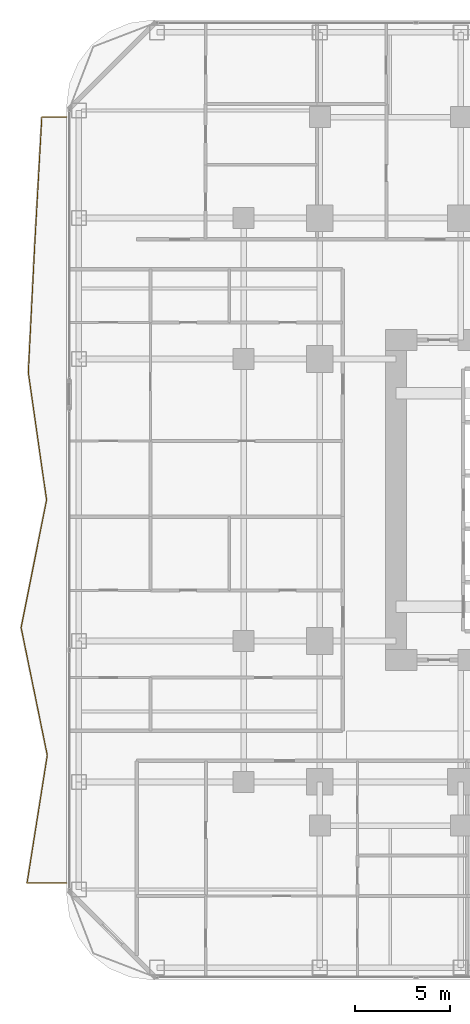
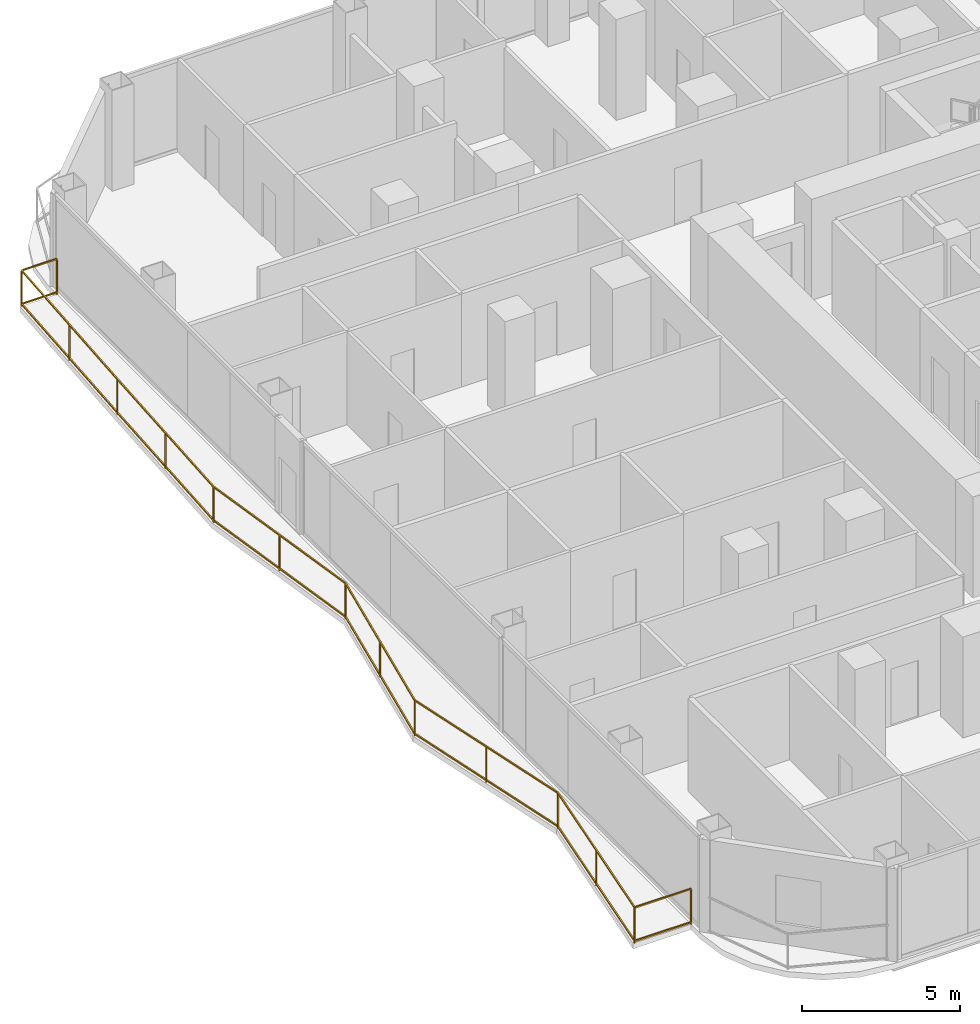
# One storey, part 26 of 29: 1 railing.
"""IFC4 building model written with IfcOpenShell, lengths in metres."""

from ifc_helpers import new_model, si_unit, direction, frame, origin, origin_2d, place, context, subcontext, project, spatial, rectangle, extrude, material, type_object, element, save


model = new_model("IFC4")

# Units and contexts
model_context = context("Model", 3, precision=1e-05, world=origin(), true_north=direction((0.0, 1.0)))
body_context = subcontext(model_context, "Body", "Model", "MODEL_VIEW")
ifc_project = project(units=[si_unit("LENGTHUNIT", "METRE"), si_unit("AREAUNIT", "SQUARE_METRE"), si_unit("VOLUMEUNIT", "CUBIC_METRE"), si_unit("PLANEANGLEUNIT", "RADIAN"), si_unit("MASSUNIT", "GRAM", prefix="KILO")], contexts=[model_context])

# Site, building, storey
site_placement = place(None, origin())
site = spatial("IfcSite", under=ifc_project, at=site_placement, CompositionType="ELEMENT")
building_placement = place(site_placement, origin())
building = spatial("IfcBuilding", under=site, at=building_placement, Name="Khorvyn Point Tower", CompositionType="ELEMENT")
storey_placement = place(building_placement, frame((0.0, 0.0, 73.5)))
storey = spatial("IfcBuildingStorey", under=building, at=storey_placement, Name="L19", CompositionType="ELEMENT", Elevation=73.5)

# Railing
ifc_material = material(Name="Anodised aluminium 6063-T6 and laminated safety glass", Category="aluminium")
railing_type = type_object("IfcRailingType", Name="Laminated Glass and Aluminium Balcony Guardrail 1400", PredefinedType="BALUSTRADE", material=ifc_material)
railing_placement = place(storey_placement, frame((-28.10009765625, 20.10009765625, 0.0)))
element("IfcRailing", 1, at=railing_placement, inside=storey, type_object=railing_type, Name="L19 West Balcony Guardrail", PredefinedType="BALUSTRADE", context=body_context, shape_type="SweptSolid", body=[
    extrude(rectangle(XDim=0.048095703125, YDim=0.048095703125, at=origin_2d()), frame((0.0, 0.0, 1.3759765625), z_axis=(-1.0, 0.0, 0.0), x_axis=(0.0, -1.0, 0.0)), (0.0, 0.0, 1.0), 1.294921875),
    extrude(rectangle(XDim=0.048095703125, YDim=0.048095703125, at=origin_2d()), frame((0.0, 0.0, 0.080078125), z_axis=(-1.0, 0.0, 0.0), x_axis=(0.0, -1.0, 0.0)), (0.0, 0.0, 1.0), 1.294921875),
    extrude(rectangle(XDim=0.048095703125, YDim=0.048095703125, at=origin_2d()), frame((-1.294921875, 0.0, 1.3759765625), z_axis=(-0.055445839712, -0.99846169624, 0.0), x_axis=(0.99846169624, -0.055445839713, 0.0)), (0.0, 0.0, 1.0), 6.71044921875),
    extrude(rectangle(XDim=0.048095703125, YDim=0.048095703125, at=origin_2d()), frame((-1.294921875, 0.0, 0.080078125), z_axis=(-0.055445839712, -0.99846169624, 0.0), x_axis=(0.99846169624, -0.055445839713, 0.0)), (0.0, 0.0, 1.0), 6.71044921875),
    extrude(rectangle(XDim=0.048095703125, YDim=0.048095703125, at=origin_2d()), frame((-1.6669921875, -6.7001953125, 1.3759765625), z_axis=(-0.050149985773, -0.998741697801, 0.0), x_axis=(0.998741697801, -0.050149985773, 0.0)), (0.0, 0.0, 1.0), 6.70849609375),
    extrude(rectangle(XDim=0.048095703125, YDim=0.048095703125, at=origin_2d()), frame((-1.6669921875, -6.7001953125, 0.080078125), z_axis=(-0.050149985773, -0.998741697801, 0.0), x_axis=(0.998741697801, -0.050149985773, 0.0)), (0.0, 0.0, 1.0), 6.70849609375),
    extrude(rectangle(XDim=0.048095703125, YDim=0.048095703125, at=origin_2d()), frame((-2.00341796875, -13.400146484375, 1.3759765625), z_axis=(0.141724348985, -0.989906161666, 0.0), x_axis=(0.989906161666, 0.141724348985, 0.0)), (0.0, 0.0, 1.0), 6.768310546875),
    extrude(rectangle(XDim=0.048095703125, YDim=0.048095703125, at=origin_2d()), frame((-2.00341796875, -13.400146484375, 0.080078125), z_axis=(0.141724348985, -0.989906161666, 0.0), x_axis=(0.989906161666, 0.141724348985, 0.0)), (0.0, 0.0, 1.0), 6.768310546875),
    extrude(rectangle(XDim=0.048095703125, YDim=0.048095703125, at=origin_2d()), frame((-1.044189453125, -20.10009765625, 1.3759765625), z_axis=(-0.195717542461, -0.980660309981, 0.0), x_axis=(0.980660309981, -0.195717542461, 0.0)), (0.0, 0.0, 1.0), 6.83203125),
    extrude(rectangle(XDim=0.048095703125, YDim=0.048095703125, at=origin_2d()), frame((-1.044189453125, -20.10009765625, 0.080078125), z_axis=(-0.195717542461, -0.980660309981, 0.0), x_axis=(0.980660309981, -0.195717542461, 0.0)), (0.0, 0.0, 1.0), 6.83203125),
    extrude(rectangle(XDim=0.048095703125, YDim=0.048095703125, at=origin_2d()), frame((-2.38134765625, -26.800048828125, 1.3759765625), z_axis=(0.200898470326, -0.979612068434, 0.0), x_axis=(0.979612068434, 0.200898470326, 0.0)), (0.0, 0.0, 1.0), 6.83935546875),
    extrude(rectangle(XDim=0.048095703125, YDim=0.048095703125, at=origin_2d()), frame((-2.38134765625, -26.800048828125, 0.080078125), z_axis=(0.200898470326, -0.979612068434, 0.0), x_axis=(0.979612068434, 0.200898470326, 0.0)), (0.0, 0.0, 1.0), 6.83935546875),
    extrude(rectangle(XDim=0.048095703125, YDim=0.048095703125, at=origin_2d()), frame((-1.00732421875, -33.5, 1.3759765625), z_axis=(-0.156374689128, -0.987697806315, 0.0), x_axis=(0.987697806315, -0.156374689128, 0.0)), (0.0, 0.0, 1.0), 6.78369140625),
    extrude(rectangle(XDim=0.048095703125, YDim=0.048095703125, at=origin_2d()), frame((-1.00732421875, -33.5, 0.080078125), z_axis=(-0.156374689128, -0.987697806315, 0.0), x_axis=(0.987697806315, -0.156374689128, 0.0)), (0.0, 0.0, 1.0), 6.78369140625),
    extrude(rectangle(XDim=0.048095703125, YDim=0.048095703125, at=origin_2d()), frame((-2.068115234375, -40.2001953125, 1.3759765625), z_axis=(1.0, 0.0, 0.0), x_axis=(0.0, 1.0, 0.0)), (0.0, 0.0, 1.0), 2.068115234375),
    extrude(rectangle(XDim=0.048095703125, YDim=0.048095703125, at=origin_2d()), frame((-2.068115234375, -40.2001953125, 0.080078125), z_axis=(1.0, 0.0, 0.0), x_axis=(0.0, 1.0, 0.0)), (0.0, 0.0, 1.0), 2.068115234375),
    extrude(rectangle(XDim=0.0419921875, YDim=0.0419921875, at=origin_2d()), origin(), (0.0, 0.0, 1.0), 1.351806640625),
    extrude(rectangle(XDim=0.0419921875, YDim=0.0419921875, at=origin_2d()), frame((-1.294921875, 0.0, 0.0)), (0.0, 0.0, 1.0), 1.351806640625),
    extrude(rectangle(XDim=0.0419921875, YDim=0.0419921875, at=origin_2d()), frame((-1.48095703125, -3.35009765625, 0.0)), (0.0, 0.0, 1.0), 1.351806640625),
    extrude(rectangle(XDim=0.0419921875, YDim=0.0419921875, at=origin_2d()), frame((-1.6669921875, -6.7001953125, 0.0)), (0.0, 0.0, 1.0), 1.351806640625),
    extrude(rectangle(XDim=0.0419921875, YDim=0.0419921875, at=origin_2d()), frame((-1.835205078125, -10.05029296875, 0.0)), (0.0, 0.0, 1.0), 1.351806640625),
    extrude(rectangle(XDim=0.0419921875, YDim=0.0419921875, at=origin_2d()), frame((-2.00341796875, -13.400146484375, 0.0)), (0.0, 0.0, 1.0), 1.351806640625),
    extrude(rectangle(XDim=0.0419921875, YDim=0.0419921875, at=origin_2d()), frame((-1.52392578125, -16.75, 0.0)), (0.0, 0.0, 1.0), 1.351806640625),
    extrude(rectangle(XDim=0.0419921875, YDim=0.0419921875, at=origin_2d()), frame((-1.044189453125, -20.10009765625, 0.0)), (0.0, 0.0, 1.0), 1.351806640625),
    extrude(rectangle(XDim=0.0419921875, YDim=0.0419921875, at=origin_2d()), frame((-1.712890625, -23.4501953125, 0.0)), (0.0, 0.0, 1.0), 1.351806640625),
    extrude(rectangle(XDim=0.0419921875, YDim=0.0419921875, at=origin_2d()), frame((-2.38134765625, -26.800048828125, 0.0)), (0.0, 0.0, 1.0), 1.351806640625),
    extrude(rectangle(XDim=0.0419921875, YDim=0.0419921875, at=origin_2d()), frame((-1.6943359375, -30.14990234375, 0.0)), (0.0, 0.0, 1.0), 1.351806640625),
    extrude(rectangle(XDim=0.0419921875, YDim=0.0419921875, at=origin_2d()), frame((-1.00732421875, -33.5, 0.0)), (0.0, 0.0, 1.0), 1.351806640625),
    extrude(rectangle(XDim=0.0419921875, YDim=0.0419921875, at=origin_2d()), frame((-1.53759765625, -36.85009765625, 0.0)), (0.0, 0.0, 1.0), 1.351806640625),
    extrude(rectangle(XDim=0.0419921875, YDim=0.0419921875, at=origin_2d()), frame((-2.068115234375, -40.2001953125, 0.0)), (0.0, 0.0, 1.0), 1.351806640625),
    extrude(rectangle(XDim=0.0419921875, YDim=0.0419921875, at=origin_2d()), frame((0.0, -40.2001953125, 0.0)), (0.0, 0.0, 1.0), 1.351806640625),
])

save(model, "model.ifc")
